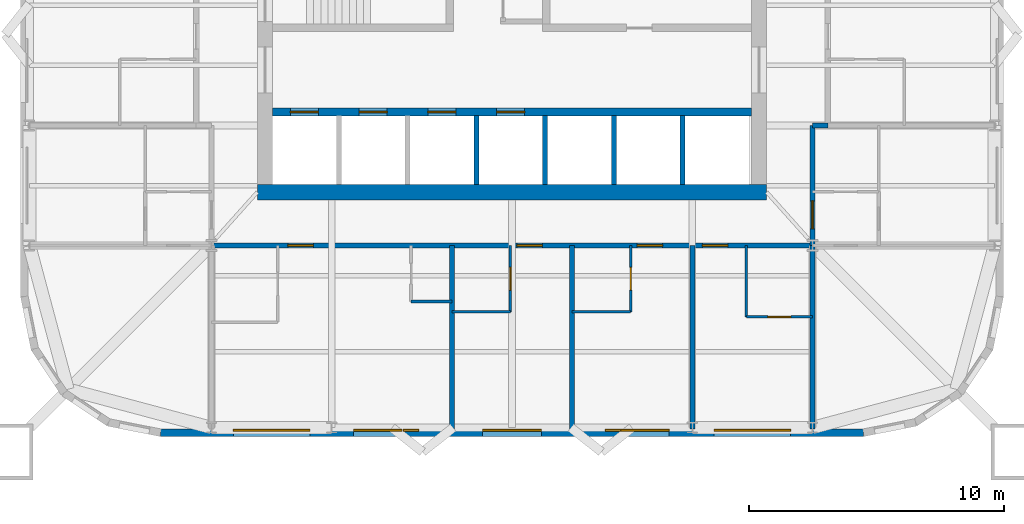
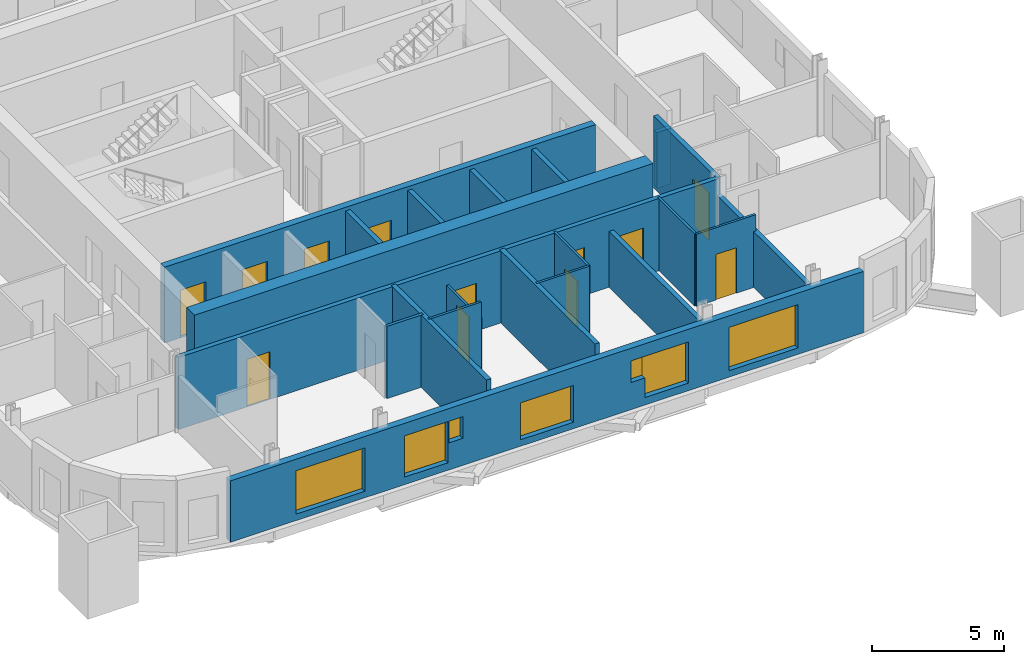
# One storey, part 3 of 9: 21 walls, 12 doors, 7 windows, 19 openings.
"""IFC4 building model written with IfcOpenShell, lengths in metres."""

from ifc_helpers import new_model, si_unit, direction, frame, frame_2d, origin, place, context, subcontext, project, spatial, rectangle, extrude, material, layer, layer_set, type_object, element, fill, save


model = new_model("IFC4")

# Units and contexts
model_context = context("Model", 3, precision=1e-05, world=origin(), true_north=direction((0.0, 1.0)))
body_context = subcontext(model_context, "Body", "Model", "MODEL_VIEW")
ifc_project = project(units=[si_unit("LENGTHUNIT", "METRE"), si_unit("AREAUNIT", "SQUARE_METRE"), si_unit("VOLUMEUNIT", "CUBIC_METRE"), si_unit("PLANEANGLEUNIT", "RADIAN"), si_unit("MASSUNIT", "GRAM", prefix="KILO")], contexts=[model_context])

# Site, building, storey
site_placement = place(None, origin())
site = spatial("IfcSite", under=ifc_project, at=site_placement, CompositionType="ELEMENT")
building_placement = place(site_placement, origin())
building = spatial("IfcBuilding", under=site, at=building_placement, Name="Turquesa Mirador Hotel Tower", CompositionType="ELEMENT")
storey_placement = place(building_placement, frame((0.0, 0.0, 186.300048828125)))
storey = spatial("IfcBuildingStorey", under=building, at=storey_placement, Name="L50", CompositionType="ELEMENT", Elevation=186.300048828125)

# Walls
ifc_material_1 = material(Name="Gypsum board on steel studs", Category="steel")
ifc_layer_1 = layer(ifc_material_1, 0.10009765625)
ifc_layer_set_1 = layer_set([ifc_layer_1], Name="BATHROOM WALL 100")
wall_type_1 = type_object("IfcWallType", Name="BATHROOM WALL 100", PredefinedType="PARTITIONING", material=ifc_layer_set_1)
wall_1_placement = place(storey_placement, frame((52.639892578125, 30.60009765625, 0.0), z_axis=(0.0, 0.0, 1.0), x_axis=(1.0, 0.0, 0.0)))
element("IfcWall", 1, at=wall_1_placement, inside=storey, type_object=wall_type_1, Name="Partition L50 005", PredefinedType="PARTITIONING", context=body_context, shape_type="SweptSolid", body=[
    extrude(rectangle(XDim=2.300048828125, YDim=0.10009765625, at=frame_2d((1.14990234375, 0.0))), origin(), (0.0, 0.0, 1.0), 3.329833984375),
])
wall_2_placement = place(storey_placement, frame((57.360107421875, 30.60009765625, 0.0), z_axis=(0.0, 0.0, 1.0), x_axis=(1.0, 0.0, 0.0)))
element("IfcWall", 2, at=wall_2_placement, inside=storey, type_object=wall_type_1, Name="Partition L50 006", PredefinedType="PARTITIONING", context=body_context, shape_type="SweptSolid", body=[
    extrude(rectangle(XDim=2.2998046875, YDim=0.10009765625, at=frame_2d((1.14990234375, 0.0))), origin(), (0.0, 0.0, 1.0), 3.329833984375),
])

# Wall, opening, door
wall_3_placement = place(storey_placement, frame((64.199951171875, 30.39990234375, 0.0), z_axis=(0.0, 0.0, 1.0), x_axis=(1.0, 0.0, 0.0)))
wall_3 = element("IfcWall", 3, at=wall_3_placement, inside=storey, type_object=wall_type_1, Name="Partition L50 007", PredefinedType="PARTITIONING", context=body_context, shape_type="SweptSolid", body=[
    extrude(rectangle(XDim=2.60009765625, YDim=0.10009765625, at=frame_2d((1.300048828125, 0.0))), origin(), (0.0, 0.0, 1.0), 3.329833984375),
])
opening_1_placement = place(wall_3_placement, frame((0.85009765625, 0.0, 0.0)))
opening_1 = element("IfcOpeningElement", 4, at=opening_1_placement, cuts=wall_3, Name="Opening D02", PredefinedType="OPENING", context=body_context, shape_type="SweptSolid", body=[
    extrude(rectangle(XDim=0.89990234375, YDim=2.10009765625, at=frame_2d((0.449951171875, 1.050048828125))), frame((0.0, 0.06005859375, 0.0), z_axis=(0.0, -1.0, 0.0), x_axis=(1.0, 0.0, 0.0)), (0.0, 0.0, 1.0), 0.1201171875),
])
ifc_material_2 = material(Name="Timber veneered door", Category="wood")
door_type_1 = type_object("IfcDoorType", Name="DOOR 900X2100 EN-SUITE", OperationType="SINGLE_SWING_RIGHT", PredefinedType="DOOR", material=ifc_material_2)
door_1_placement = place(opening_1_placement, origin())
door_1 = element("IfcDoor", 5, at=door_1_placement, inside=storey, type_object=door_type_1, Name="Door 5009B", OperationType="SINGLE_SWING_RIGHT", OverallHeight=2.10009765625, OverallWidth=0.89990234375, PredefinedType="DOOR", context=body_context, shape_type="SweptSolid", body=[
    extrude(rectangle(XDim=0.89990234375, YDim=2.10009765625, at=frame_2d((0.449951171875, 1.050048828125))), frame((0.0, 0.02490234375, 0.0), z_axis=(0.0, -1.0, 0.0), x_axis=(1.0, 0.0, 0.0)), (0.0, 0.0, 1.0), 0.050048828125),
])
fill(opening_1, door_1)

wall_4_placement = place(storey_placement, frame((54.93994140625, 30.60009765625, 0.0), z_axis=(0.0, 0.0, 1.0), x_axis=(0.0, 1.0, 0.0)))
wall_4 = element("IfcWall", 6, at=wall_4_placement, inside=storey, type_object=wall_type_1, Name="Partition L50 041", PredefinedType="PARTITIONING", context=body_context, shape_type="SweptSolid", body=[
    extrude(rectangle(XDim=2.599853515625, YDim=0.10009765625, at=frame_2d((1.2998046875, 0.0))), origin(), (0.0, 0.0, 1.0), 2.572998046875),
])
opening_2_placement = place(wall_4_placement, frame((0.85009765625, 0.0, 0.0)))
opening_2 = element("IfcOpeningElement", 7, at=opening_2_placement, cuts=wall_4, Name="Opening D02", PredefinedType="OPENING", context=body_context, shape_type="SweptSolid", body=[
    extrude(rectangle(XDim=0.89990234375, YDim=2.10009765625, at=frame_2d((0.449951171875, 1.050048828125))), frame((0.0, 0.06005859375, 0.0), z_axis=(0.0, -1.0, 0.0), x_axis=(1.0, 0.0, 0.0)), (0.0, 0.0, 1.0), 0.1201171875),
])
door_2_placement = place(opening_2_placement, origin())
door_2 = element("IfcDoor", 8, at=door_2_placement, inside=storey, type_object=door_type_1, Name="Door 5007B", OperationType="SINGLE_SWING_RIGHT", OverallHeight=2.10009765625, OverallWidth=0.89990234375, PredefinedType="DOOR", context=body_context, shape_type="SweptSolid", body=[
    extrude(rectangle(XDim=0.89990234375, YDim=2.10009765625, at=frame_2d((0.449951171875, 1.050048828125))), frame((0.0, 0.02490234375, 0.0), z_axis=(0.0, -1.0, 0.0), x_axis=(1.0, 0.0, 0.0)), (0.0, 0.0, 1.0), 0.050048828125),
])
fill(opening_2, door_2)

wall_5_placement = place(storey_placement, frame((59.659912109375, 30.60009765625, 0.0), z_axis=(0.0, 0.0, 1.0), x_axis=(0.0, 1.0, 0.0)))
wall_5 = element("IfcWall", 9, at=wall_5_placement, inside=storey, type_object=wall_type_1, Name="Partition L50 078", PredefinedType="PARTITIONING", context=body_context, shape_type="SweptSolid", body=[
    extrude(rectangle(XDim=2.599853515625, YDim=0.10009765625, at=frame_2d((1.2998046875, 0.0))), origin(), (0.0, 0.0, 1.0), 3.329833984375),
])
opening_3_placement = place(wall_5_placement, frame((0.85009765625, 0.0, 0.0)))
opening_3 = element("IfcOpeningElement", 10, at=opening_3_placement, cuts=wall_5, Name="Opening D02", PredefinedType="OPENING", context=body_context, shape_type="SweptSolid", body=[
    extrude(rectangle(XDim=0.89990234375, YDim=2.10009765625, at=frame_2d((0.449951171875, 1.050048828125))), frame((0.0, 0.06005859375, 0.0), z_axis=(0.0, -1.0, 0.0), x_axis=(1.0, 0.0, 0.0)), (0.0, 0.0, 1.0), 0.1201171875),
])
door_3_placement = place(opening_3_placement, origin())
door_3 = element("IfcDoor", 11, at=door_3_placement, inside=storey, type_object=door_type_1, Name="Door 5008B", OperationType="SINGLE_SWING_RIGHT", OverallHeight=2.10009765625, OverallWidth=0.89990234375, PredefinedType="DOOR", context=body_context, shape_type="SweptSolid", body=[
    extrude(rectangle(XDim=0.89990234375, YDim=2.10009765625, at=frame_2d((0.449951171875, 1.050048828125))), frame((0.0, 0.02490234375, 0.0), z_axis=(0.0, -1.0, 0.0), x_axis=(1.0, 0.0, 0.0)), (0.0, 0.0, 1.0), 0.050048828125),
])
fill(opening_3, door_3)

# Wall
wall_6_placement = place(storey_placement, frame((64.199951171875, 30.39990234375, 0.0), z_axis=(0.0, 0.0, 1.0), x_axis=(0.0, 1.0, 0.0)))
element("IfcWall", 12, at=wall_6_placement, inside=storey, type_object=wall_type_1, Name="Partition L50 083", PredefinedType="PARTITIONING", context=body_context, shape_type="SweptSolid", body=[
    extrude(rectangle(XDim=2.800048828125, YDim=0.10009765625, at=frame_2d((1.39990234375, 0.0))), origin(), (0.0, 0.0, 1.0), 3.329833984375),
])

# Wall, openings, doors
ifc_material_3 = material(Name="Concrete C50/60", Category="concrete")
ifc_layer_2 = layer(ifc_material_3, 0.300048828125)
ifc_layer_set_2 = layer_set([ifc_layer_2], Name="CORE INNER WALL 300")
wall_type_2 = type_object("IfcWallType", Name="CORE INNER WALL 300", PredefinedType="SHEAR", material=ifc_layer_set_2)
wall_7_placement = place(storey_placement, frame((45.60009765625, 38.449951171875, 0.0), z_axis=(0.0, 0.0, 1.0), x_axis=(1.0, 0.0, 0.0)))
wall_7 = element("IfcWall", 13, at=wall_7_placement, inside=storey, type_object=wall_type_2, Name="Core wall SL", PredefinedType="SHEAR", context=body_context, shape_type="SweptSolid", body=[
    extrude(rectangle(XDim=18.7998046875, YDim=0.300048828125, at=frame_2d((9.39990234375, 0.0))), origin(), (0.0, 0.0, 1.0), 3.5),
])
opening_4_placement = place(wall_7_placement, frame((0.699951171875, 0.0, 0.0)))
opening_4 = element("IfcOpeningElement", 14, at=opening_4_placement, cuts=wall_7, Name="Opening LD", PredefinedType="OPENING", context=body_context, shape_type="SweptSolid", body=[
    extrude(rectangle(XDim=1.10009765625, YDim=2.199951171875, at=frame_2d((0.550048828125, 1.10009765625))), frame((0.0, 0.159912109375, 0.0), z_axis=(0.0, -1.0, 0.0), x_axis=(1.0, 0.0, 0.0)), (0.0, 0.0, 1.0), 0.320068359375),
])
opening_5_placement = place(wall_7_placement, frame((3.39990234375, 0.0, 0.0)))
opening_5 = element("IfcOpeningElement", 15, at=opening_5_placement, cuts=wall_7, Name="Opening LD", PredefinedType="OPENING", context=body_context, shape_type="SweptSolid", body=[
    extrude(rectangle(XDim=1.10009765625, YDim=2.199951171875, at=frame_2d((0.550048828125, 1.10009765625))), frame((0.0, 0.159912109375, 0.0), z_axis=(0.0, -1.0, 0.0), x_axis=(1.0, 0.0, 0.0)), (0.0, 0.0, 1.0), 0.320068359375),
])
opening_6_placement = place(wall_7_placement, frame((6.10009765625, 0.0, 0.0)))
opening_6 = element("IfcOpeningElement", 16, at=opening_6_placement, cuts=wall_7, Name="Opening LD", PredefinedType="OPENING", context=body_context, shape_type="SweptSolid", body=[
    extrude(rectangle(XDim=1.10009765625, YDim=2.199951171875, at=frame_2d((0.550048828125, 1.10009765625))), frame((0.0, 0.159912109375, 0.0), z_axis=(0.0, -1.0, 0.0), x_axis=(1.0, 0.0, 0.0)), (0.0, 0.0, 1.0), 0.320068359375),
])
opening_7_placement = place(wall_7_placement, frame((8.800048828125, 0.0, 0.0)))
opening_7 = element("IfcOpeningElement", 17, at=opening_7_placement, cuts=wall_7, Name="Opening LD", PredefinedType="OPENING", context=body_context, shape_type="SweptSolid", body=[
    extrude(rectangle(XDim=1.10009765625, YDim=2.199951171875, at=frame_2d((0.550048828125, 1.10009765625))), frame((0.0, 0.159912109375, 0.0), z_axis=(0.0, -1.0, 0.0), x_axis=(1.0, 0.0, 0.0)), (0.0, 0.0, 1.0), 0.320068359375),
])
ifc_material_4 = material(Name="Stainless steel lift landing door", Category="steel")
door_type_2 = type_object("IfcDoorType", Name="LIFT LANDING DOOR 1100X2200", OperationType="SLIDING_TO_LEFT", PredefinedType="DOOR", material=ifc_material_4)
door_4_placement = place(opening_4_placement, origin())
door_4 = element("IfcDoor", 18, at=door_4_placement, inside=storey, type_object=door_type_2, Name="Lift B1 landing door", OperationType="SLIDING_TO_LEFT", OverallHeight=2.199951171875, OverallWidth=1.10009765625, PredefinedType="DOOR", context=body_context, shape_type="SweptSolid", body=[
    extrude(rectangle(XDim=1.10009765625, YDim=2.199951171875, at=frame_2d((0.550048828125, 1.10009765625))), frame((0.0, 0.02490234375, 0.0), z_axis=(0.0, -1.0, 0.0), x_axis=(1.0, 0.0, 0.0)), (0.0, 0.0, 1.0), 0.050048828125),
])
fill(opening_4, door_4)
door_5_placement = place(opening_5_placement, origin())
door_5 = element("IfcDoor", 19, at=door_5_placement, inside=storey, type_object=door_type_2, Name="Lift B2 landing door", OperationType="SLIDING_TO_LEFT", OverallHeight=2.199951171875, OverallWidth=1.10009765625, PredefinedType="DOOR", context=body_context, shape_type="SweptSolid", body=[
    extrude(rectangle(XDim=1.10009765625, YDim=2.199951171875, at=frame_2d((0.550048828125, 1.10009765625))), frame((0.0, 0.02490234375, 0.0), z_axis=(0.0, -1.0, 0.0), x_axis=(1.0, 0.0, 0.0)), (0.0, 0.0, 1.0), 0.050048828125),
])
fill(opening_5, door_5)
door_6_placement = place(opening_6_placement, origin())
door_6 = element("IfcDoor", 20, at=door_6_placement, inside=storey, type_object=door_type_2, Name="Lift B3 landing door", OperationType="SLIDING_TO_LEFT", OverallHeight=2.199951171875, OverallWidth=1.10009765625, PredefinedType="DOOR", context=body_context, shape_type="SweptSolid", body=[
    extrude(rectangle(XDim=1.10009765625, YDim=2.199951171875, at=frame_2d((0.550048828125, 1.10009765625))), frame((0.0, 0.02490234375, 0.0), z_axis=(0.0, -1.0, 0.0), x_axis=(1.0, 0.0, 0.0)), (0.0, 0.0, 1.0), 0.050048828125),
])
fill(opening_6, door_6)
door_7_placement = place(opening_7_placement, origin())
door_7 = element("IfcDoor", 21, at=door_7_placement, inside=storey, type_object=door_type_2, Name="Lift B4 landing door", OperationType="SLIDING_TO_LEFT", OverallHeight=2.199951171875, OverallWidth=1.10009765625, PredefinedType="DOOR", context=body_context, shape_type="SweptSolid", body=[
    extrude(rectangle(XDim=1.10009765625, YDim=2.199951171875, at=frame_2d((0.550048828125, 1.10009765625))), frame((0.0, 0.02490234375, 0.0), z_axis=(0.0, -1.0, 0.0), x_axis=(1.0, 0.0, 0.0)), (0.0, 0.0, 1.0), 0.050048828125),
])
fill(opening_7, door_7)

# Wall
ifc_material_5 = material(Name="Concrete C50/60", Category="concrete")
ifc_layer_3 = layer(ifc_material_5, 0.60009765625)
ifc_layer_set_3 = layer_set([ifc_layer_3], Name="CORE WALL 600")
wall_type_3 = type_object("IfcWallType", Name="CORE WALL 600", PredefinedType="SHEAR", material=ifc_layer_set_3)
wall_8_placement = place(storey_placement, frame((45.0, 35.300048828125, 0.0), z_axis=(0.0, 0.0, 1.0), x_axis=(1.0, 0.0, 0.0)))
element("IfcWall", 22, at=wall_8_placement, inside=storey, type_object=wall_type_3, Name="Core wall S", PredefinedType="SHEAR", context=body_context, shape_type="SweptSolid", body=[
    extrude(rectangle(XDim=20.0, YDim=0.60009765625, at=frame_2d((10.0, 0.0))), origin(), (0.0, 0.0, 1.0), 3.5),
])

# Wall, openings, doors
ifc_material_6 = material(Name="Fire-rated gypsum board on steel studs", Category="steel")
ifc_layer_4 = layer(ifc_material_6, 0.199951171875)
ifc_layer_set_4 = layer_set([ifc_layer_4], Name="CORRIDOR WALL 200")
wall_type_4 = type_object("IfcWallType", Name="CORRIDOR WALL 200", PredefinedType="PARTITIONING", material=ifc_layer_set_4)
wall_9_placement = place(storey_placement, frame((43.199951171875, 33.199951171875, 0.0), z_axis=(0.0, 0.0, 1.0), x_axis=(1.0, 0.0, 0.0)))
wall_9 = element("IfcWall", 23, at=wall_9_placement, inside=storey, type_object=wall_type_4, Name="Partition L50 001", PredefinedType="PARTITIONING", context=body_context, shape_type="SweptSolid", body=[
    extrude(rectangle(XDim=23.60009765625, YDim=0.199951171875, at=frame_2d((11.800048828125, 0.0))), origin(), (0.0, 0.0, 1.0), 3.329833984375),
])
opening_8_placement = place(wall_9_placement, frame((3.0, 0.0, 0.0)))
opening_8 = element("IfcOpeningElement", 24, at=opening_8_placement, cuts=wall_9, Name="Opening D01", PredefinedType="OPENING", context=body_context, shape_type="SweptSolid", body=[
    extrude(rectangle(XDim=1.0, YDim=2.199951171875, at=frame_2d((0.5, 1.10009765625))), frame((0.0, 0.10986328125, 0.0), z_axis=(0.0, -1.0, 0.0), x_axis=(1.0, 0.0, 0.0)), (0.0, 0.0, 1.0), 0.219970703125),
])
opening_9_placement = place(wall_9_placement, frame((11.989990234375, 0.0, 0.0)))
opening_9 = element("IfcOpeningElement", 25, at=opening_9_placement, cuts=wall_9, Name="Opening D01", PredefinedType="OPENING", context=body_context, shape_type="SweptSolid", body=[
    extrude(rectangle(XDim=1.0, YDim=2.199951171875, at=frame_2d((0.5, 1.10009765625))), frame((0.0, 0.10986328125, 0.0), z_axis=(0.0, -1.0, 0.0), x_axis=(1.0, 0.0, 0.0)), (0.0, 0.0, 1.0), 0.219970703125),
])
opening_10_placement = place(wall_9_placement, frame((16.7099609375, 0.0, 0.0)))
opening_10 = element("IfcOpeningElement", 26, at=opening_10_placement, cuts=wall_9, Name="Opening D01", PredefinedType="OPENING", context=body_context, shape_type="SweptSolid", body=[
    extrude(rectangle(XDim=1.0, YDim=2.199951171875, at=frame_2d((0.5, 1.10009765625))), frame((0.0, 0.10986328125, 0.0), z_axis=(0.0, -1.0, 0.0), x_axis=(1.0, 0.0, 0.0)), (0.0, 0.0, 1.0), 0.219970703125),
])
opening_11_placement = place(wall_9_placement, frame((19.280029296875, 0.0, 0.0)))
opening_11 = element("IfcOpeningElement", 27, at=opening_11_placement, cuts=wall_9, Name="Opening D01", PredefinedType="OPENING", context=body_context, shape_type="SweptSolid", body=[
    extrude(rectangle(XDim=1.0, YDim=2.199951171875, at=frame_2d((0.5, 1.10009765625))), frame((0.0, 0.10986328125, 0.0), z_axis=(0.0, -1.0, 0.0), x_axis=(1.0, 0.0, 0.0)), (0.0, 0.0, 1.0), 0.219970703125),
])
ifc_material_7 = material(Name="Timber veneered fire door", Category="wood")
door_type_3 = type_object("IfcDoorType", Name="DOOR 1000X2200 GUEST ENTRY", OperationType="SINGLE_SWING_LEFT", PredefinedType="DOOR", material=ifc_material_7)
door_8_placement = place(opening_8_placement, origin())
door_8 = element("IfcDoor", 28, at=door_8_placement, inside=storey, type_object=door_type_3, Name="Door 5006", OperationType="SINGLE_SWING_LEFT", OverallHeight=2.199951171875, OverallWidth=1.0, PredefinedType="DOOR", context=body_context, shape_type="SweptSolid", body=[
    extrude(rectangle(XDim=1.0, YDim=2.199951171875, at=frame_2d((0.5, 1.10009765625))), frame((0.0, 0.02490234375, 0.0), z_axis=(0.0, -1.0, 0.0), x_axis=(1.0, 0.0, 0.0)), (0.0, 0.0, 1.0), 0.050048828125),
])
fill(opening_8, door_8)
door_9_placement = place(opening_9_placement, origin())
door_9 = element("IfcDoor", 29, at=door_9_placement, inside=storey, type_object=door_type_3, Name="Door 5007", OperationType="SINGLE_SWING_LEFT", OverallHeight=2.199951171875, OverallWidth=1.0, PredefinedType="DOOR", context=body_context, shape_type="SweptSolid", body=[
    extrude(rectangle(XDim=1.0, YDim=2.199951171875, at=frame_2d((0.5, 1.10009765625))), frame((0.0, 0.02490234375, 0.0), z_axis=(0.0, -1.0, 0.0), x_axis=(1.0, 0.0, 0.0)), (0.0, 0.0, 1.0), 0.050048828125),
])
fill(opening_9, door_9)
door_10_placement = place(opening_10_placement, origin())
door_10 = element("IfcDoor", 30, at=door_10_placement, inside=storey, type_object=door_type_3, Name="Door 5008", OperationType="SINGLE_SWING_LEFT", OverallHeight=2.199951171875, OverallWidth=1.0, PredefinedType="DOOR", context=body_context, shape_type="SweptSolid", body=[
    extrude(rectangle(XDim=1.0, YDim=2.199951171875, at=frame_2d((0.5, 1.10009765625))), frame((0.0, 0.02490234375, 0.0), z_axis=(0.0, -1.0, 0.0), x_axis=(1.0, 0.0, 0.0)), (0.0, 0.0, 1.0), 0.050048828125),
])
fill(opening_10, door_10)
door_11_placement = place(opening_11_placement, origin())
door_11 = element("IfcDoor", 31, at=door_11_placement, inside=storey, type_object=door_type_3, Name="Door 5009", OperationType="SINGLE_SWING_LEFT", OverallHeight=2.199951171875, OverallWidth=1.0, PredefinedType="DOOR", context=body_context, shape_type="SweptSolid", body=[
    extrude(rectangle(XDim=1.0, YDim=2.199951171875, at=frame_2d((0.5, 1.10009765625))), frame((0.0, 0.02490234375, 0.0), z_axis=(0.0, -1.0, 0.0), x_axis=(1.0, 0.0, 0.0)), (0.0, 0.0, 1.0), 0.050048828125),
])
fill(opening_11, door_11)

# Wall
wall_10_placement = place(storey_placement, frame((66.800048828125, 37.919921875, 0.0), z_axis=(0.0, 0.0, 1.0), x_axis=(1.0, 0.0, 0.0)))
element("IfcWall", 32, at=wall_10_placement, inside=storey, type_object=wall_type_4, Name="Partition L50 012", PredefinedType="PARTITIONING", context=body_context, shape_type="SweptSolid", body=[
    extrude(rectangle(XDim=0.599853515625, YDim=0.199951171875, at=frame_2d((0.2998046875, 0.0))), origin(), (0.0, 0.0, 1.0), 2.572998046875),
])

# Wall, opening, door
wall_11_placement = place(storey_placement, frame((66.800048828125, 33.199951171875, 0.0), z_axis=(0.0, 0.0, 1.0), x_axis=(0.0, 1.0, 0.0)))
wall_11 = element("IfcWall", 33, at=wall_11_placement, inside=storey, type_object=wall_type_4, Name="Partition L50 063", PredefinedType="PARTITIONING", context=body_context, shape_type="SweptSolid", body=[
    extrude(rectangle(XDim=4.719970703125, YDim=0.199951171875, at=frame_2d((2.35986328125, 0.0))), origin(), (0.0, 0.0, 1.0), 3.329833984375),
])
opening_12_placement = place(wall_11_placement, frame((0.659912109375, 0.0, 0.0)))
opening_12 = element("IfcOpeningElement", 34, at=opening_12_placement, cuts=wall_11, Name="Opening D15", PredefinedType="OPENING", context=body_context, shape_type="SweptSolid", body=[
    extrude(rectangle(XDim=1.10009765625, YDim=2.199951171875, at=frame_2d((0.550048828125, 1.10009765625))), frame((0.0, 0.10986328125, 0.0), z_axis=(0.0, -1.0, 0.0), x_axis=(1.0, 0.0, 0.0)), (0.0, 0.0, 1.0), 0.219970703125),
])
ifc_material_8 = material(Name="Timber veneered fire door", Category="wood")
door_type_4 = type_object("IfcDoorType", Name="DOOR 1100X2200 SUITE ENTRY", OperationType="SINGLE_SWING_LEFT", PredefinedType="DOOR", material=ifc_material_8)
door_12_placement = place(opening_12_placement, origin())
door_12 = element("IfcDoor", 35, at=door_12_placement, inside=storey, type_object=door_type_4, Name="Door 5017H", OperationType="SINGLE_SWING_LEFT", OverallHeight=2.199951171875, OverallWidth=1.10009765625, PredefinedType="DOOR", context=body_context, shape_type="SweptSolid", body=[
    extrude(rectangle(XDim=1.10009765625, YDim=2.199951171875, at=frame_2d((0.550048828125, 1.10009765625))), frame((0.0, 0.02490234375, 0.0), z_axis=(0.0, -1.0, 0.0), x_axis=(1.0, 0.0, 0.0)), (0.0, 0.0, 1.0), 0.050048828125),
])
fill(opening_12, door_12)

# Wall, openings, windows
ifc_material_9 = material(Name="Limestone cladding on concrete block", Category="masonry")
ifc_layer_5 = layer(ifc_material_9, 0.300048828125)
ifc_layer_set_5 = layer_set([ifc_layer_5], Name="FACADE WALL 300 STONE SCREEN")
wall_type_5 = type_object("IfcWallType", Name="FACADE WALL 300 STONE SCREEN", PredefinedType="SOLIDWALL", material=ifc_layer_set_5)
wall_12_placement = place(storey_placement, frame((41.199951171875, 25.85009765625, 0.0), z_axis=(0.0, 0.0, 1.0), x_axis=(1.0, 0.0, 0.0)))
wall_12 = element("IfcWall", 36, at=wall_12_placement, inside=storey, type_object=wall_type_5, Name="Facade wall L50 19", PredefinedType="SOLIDWALL", context=body_context, shape_type="SweptSolid", body=[
    extrude(rectangle(XDim=27.60009765625, YDim=0.300048828125, at=frame_2d((13.800048828125, 0.0))), origin(), (0.0, 0.0, 1.0), 2.829833984375),
])
opening_13_placement = place(wall_12_placement, frame((2.860107421875, 0.0, 0.300048828125)))
opening_13 = element("IfcOpeningElement", 37, at=opening_13_placement, cuts=wall_12, Name="Opening WN1", PredefinedType="OPENING", context=body_context, shape_type="SweptSolid", body=[
    extrude(rectangle(XDim=3.0, YDim=2.0, at=frame_2d((1.5, 1.0))), frame((0.0, 0.159912109375, 0.0), z_axis=(0.0, -1.0, 0.0), x_axis=(1.0, 0.0, 0.0)), (0.0, 0.0, 1.0), 0.320068359375),
])
opening_14_placement = place(wall_12_placement, frame((7.580078125, 0.0, 0.35009765625)))
opening_14 = element("IfcOpeningElement", 38, at=opening_14_placement, cuts=wall_12, Name="Opening WN48", PredefinedType="OPENING", context=body_context, shape_type="SweptSolid", body=[
    extrude(rectangle(XDim=1.89990234375, YDim=1.89990234375, at=frame_2d((0.949951171875, 0.949951171875))), frame((0.0, 0.159912109375, 0.0), z_axis=(0.0, -1.0, 0.0), x_axis=(1.0, 0.0, 0.0)), (0.0, 0.0, 1.0), 0.320068359375),
])
opening_15_placement = place(wall_12_placement, frame((12.64990234375, 0.0, 0.300048828125)))
opening_15 = element("IfcOpeningElement", 39, at=opening_15_placement, cuts=wall_12, Name="Opening WN51", PredefinedType="OPENING", context=body_context, shape_type="SweptSolid", body=[
    extrude(rectangle(XDim=2.300048828125, YDim=1.699951171875, at=frame_2d((1.14990234375, 0.85009765625))), frame((0.0, 0.159912109375, 0.0), z_axis=(0.0, -1.0, 0.0), x_axis=(1.0, 0.0, 0.0)), (0.0, 0.0, 1.0), 0.320068359375),
])
opening_16_placement = place(wall_12_placement, frame((18.070068359375, 0.0, 0.35009765625)))
opening_16 = element("IfcOpeningElement", 40, at=opening_16_placement, cuts=wall_12, Name="Opening WN48", PredefinedType="OPENING", context=body_context, shape_type="SweptSolid", body=[
    extrude(rectangle(XDim=1.89990234375, YDim=1.89990234375, at=frame_2d((0.949951171875, 0.949951171875))), frame((0.0, 0.159912109375, 0.0), z_axis=(0.0, -1.0, 0.0), x_axis=(1.0, 0.0, 0.0)), (0.0, 0.0, 1.0), 0.320068359375),
])
opening_17_placement = place(wall_12_placement, frame((21.739990234375, 0.0, 0.300048828125)))
opening_17 = element("IfcOpeningElement", 41, at=opening_17_placement, cuts=wall_12, Name="Opening WN1", PredefinedType="OPENING", context=body_context, shape_type="SweptSolid", body=[
    extrude(rectangle(XDim=3.0, YDim=2.0, at=frame_2d((1.5, 1.0))), frame((0.0, 0.159912109375, 0.0), z_axis=(0.0, -1.0, 0.0), x_axis=(1.0, 0.0, 0.0)), (0.0, 0.0, 1.0), 0.320068359375),
])
opening_18_placement = place(wall_12_placement, frame((9.530029296875, 0.0, 1.25)))
opening_18 = element("IfcOpeningElement", 42, at=opening_18_placement, cuts=wall_12, Name="Opening WN29", PredefinedType="OPENING", context=body_context, shape_type="SweptSolid", body=[
    extrude(rectangle(XDim=0.60009765625, YDim=1.0, at=frame_2d((0.300048828125, 0.5))), frame((0.0, 0.159912109375, 0.0), z_axis=(0.0, -1.0, 0.0), x_axis=(1.0, 0.0, 0.0)), (0.0, 0.0, 1.0), 0.320068359375),
])
opening_19_placement = place(wall_12_placement, frame((17.469970703125, 0.0, 1.25)))
opening_19 = element("IfcOpeningElement", 43, at=opening_19_placement, cuts=wall_12, Name="Opening WN29", PredefinedType="OPENING", context=body_context, shape_type="SweptSolid", body=[
    extrude(rectangle(XDim=0.60009765625, YDim=1.0, at=frame_2d((0.300048828125, 0.5))), frame((0.0, 0.159912109375, 0.0), z_axis=(0.0, -1.0, 0.0), x_axis=(1.0, 0.0, 0.0)), (0.0, 0.0, 1.0), 0.320068359375),
])
ifc_material_10 = material(Name="Ceramic-fritted laminated glass", Category="glass")
window_type_1 = type_object("IfcWindowType", Name="FRITTED WINDOW 1900X1900", PartitioningType="DOUBLE_PANEL_HORIZONTAL", PredefinedType="WINDOW", material=ifc_material_10)
window_1_placement = place(opening_14_placement, origin())
window_1 = element("IfcWindow", 44, at=window_1_placement, inside=storey, type_object=window_type_1, Name="Window L50", OverallHeight=1.89990234375, OverallWidth=1.89990234375, PartitioningType="SINGLE_PANEL", PredefinedType="WINDOW", context=body_context, shape_type="SweptSolid", body=[
    extrude(rectangle(XDim=1.89990234375, YDim=1.89990234375, at=frame_2d((0.949951171875, 0.949951171875))), frame((0.0, 0.130126953125, 0.0), z_axis=(0.0, -1.0, 0.0), x_axis=(1.0, 0.0, 0.0)), (0.0, 0.0, 1.0), 0.06005859375),
])
fill(opening_14, window_1)
window_2_placement = place(opening_16_placement, origin())
window_2 = element("IfcWindow", 45, at=window_2_placement, inside=storey, type_object=window_type_1, Name="Window L50", OverallHeight=1.89990234375, OverallWidth=1.89990234375, PartitioningType="SINGLE_PANEL", PredefinedType="WINDOW", context=body_context, shape_type="SweptSolid", body=[
    extrude(rectangle(XDim=1.89990234375, YDim=1.89990234375, at=frame_2d((0.949951171875, 0.949951171875))), frame((0.0, 0.130126953125, 0.0), z_axis=(0.0, -1.0, 0.0), x_axis=(1.0, 0.0, 0.0)), (0.0, 0.0, 1.0), 0.06005859375),
])
fill(opening_16, window_2)
ifc_material_11 = material(Name="Ceramic-fritted laminated glass", Category="glass")
window_type_2 = type_object("IfcWindowType", Name="FRITTED WINDOW 2300X1700", PartitioningType="DOUBLE_PANEL_HORIZONTAL", PredefinedType="WINDOW", material=ifc_material_11)
window_3_placement = place(opening_15_placement, origin())
window_3 = element("IfcWindow", 46, at=window_3_placement, inside=storey, type_object=window_type_2, Name="Window L50", OverallHeight=1.699951171875, OverallWidth=2.300048828125, PartitioningType="SINGLE_PANEL", PredefinedType="WINDOW", context=body_context, shape_type="SweptSolid", body=[
    extrude(rectangle(XDim=2.300048828125, YDim=1.699951171875, at=frame_2d((1.14990234375, 0.85009765625))), frame((0.0, 0.130126953125, 0.0), z_axis=(0.0, -1.0, 0.0), x_axis=(1.0, 0.0, 0.0)), (0.0, 0.0, 1.0), 0.06005859375),
])
fill(opening_15, window_3)
ifc_material_12 = material(Name="Ceramic-fritted laminated glass", Category="glass")
window_type_3 = type_object("IfcWindowType", Name="FRITTED WINDOW 3000X2000", PartitioningType="DOUBLE_PANEL_HORIZONTAL", PredefinedType="WINDOW", material=ifc_material_12)
window_4_placement = place(opening_13_placement, origin())
window_4 = element("IfcWindow", 47, at=window_4_placement, inside=storey, type_object=window_type_3, Name="Window L50", OverallHeight=2.0, OverallWidth=3.0, PartitioningType="SINGLE_PANEL", PredefinedType="WINDOW", context=body_context, shape_type="SweptSolid", body=[
    extrude(rectangle(XDim=3.0, YDim=2.0, at=frame_2d((1.5, 1.0))), frame((0.0, 0.130126953125, 0.0), z_axis=(0.0, -1.0, 0.0), x_axis=(1.0, 0.0, 0.0)), (0.0, 0.0, 1.0), 0.06005859375),
])
fill(opening_13, window_4)
window_5_placement = place(opening_17_placement, origin())
window_5 = element("IfcWindow", 48, at=window_5_placement, inside=storey, type_object=window_type_3, Name="Window L50", OverallHeight=2.0, OverallWidth=3.0, PartitioningType="SINGLE_PANEL", PredefinedType="WINDOW", context=body_context, shape_type="SweptSolid", body=[
    extrude(rectangle(XDim=3.0, YDim=2.0, at=frame_2d((1.5, 1.0))), frame((0.0, 0.130126953125, 0.0), z_axis=(0.0, -1.0, 0.0), x_axis=(1.0, 0.0, 0.0)), (0.0, 0.0, 1.0), 0.06005859375),
])
fill(opening_17, window_5)
ifc_material_13 = material(Name="Ceramic-fritted laminated glass", Category="glass")
window_type_4 = type_object("IfcWindowType", Name="FRITTED WINDOW 600X1000", PartitioningType="DOUBLE_PANEL_HORIZONTAL", PredefinedType="WINDOW", material=ifc_material_13)
window_6_placement = place(opening_18_placement, origin())
window_6 = element("IfcWindow", 49, at=window_6_placement, inside=storey, type_object=window_type_4, Name="Window L50", OverallHeight=1.0, OverallWidth=0.60009765625, PartitioningType="SINGLE_PANEL", PredefinedType="WINDOW", context=body_context, shape_type="SweptSolid", body=[
    extrude(rectangle(XDim=0.60009765625, YDim=1.0, at=frame_2d((0.300048828125, 0.5))), frame((0.0, 0.130126953125, 0.0), z_axis=(0.0, -1.0, 0.0), x_axis=(1.0, 0.0, 0.0)), (0.0, 0.0, 1.0), 0.06005859375),
])
fill(opening_18, window_6)
window_7_placement = place(opening_19_placement, origin())
window_7 = element("IfcWindow", 50, at=window_7_placement, inside=storey, type_object=window_type_4, Name="Window L50", OverallHeight=1.0, OverallWidth=0.60009765625, PartitioningType="SINGLE_PANEL", PredefinedType="WINDOW", context=body_context, shape_type="SweptSolid", body=[
    extrude(rectangle(XDim=0.60009765625, YDim=1.0, at=frame_2d((0.300048828125, 0.5))), frame((0.0, 0.130126953125, 0.0), z_axis=(0.0, -1.0, 0.0), x_axis=(1.0, 0.0, 0.0)), (0.0, 0.0, 1.0), 0.06005859375),
])
fill(opening_19, window_7)

# Walls
ifc_material_14 = material(Name="Fire-rated gypsum shaft wall on steel studs", Category="steel")
ifc_layer_6 = layer(ifc_material_14, 0.199951171875)
ifc_layer_set_6 = layer_set([ifc_layer_6], Name="LIFT SHAFT DIVIDER 200")
wall_type_6 = type_object("IfcWallType", Name="LIFT SHAFT DIVIDER 200", PredefinedType="PARTITIONING", material=ifc_layer_set_6)
for number, where, z_axis, x_axis, name in (
    (51, (53.60009765625, 35.60009765625, 0.0), (0.0, 0.0, 1.0), (0.0, 1.0, 0.0), "Lift shaft divider"),
    (52, (56.300048828125, 35.60009765625, 0.0), (0.0, 0.0, 1.0), (0.0, 1.0, 0.0), "Lift shaft divider"),
    (53, (59.0, 35.60009765625, 0.0), (0.0, 0.0, 1.0), (0.0, 1.0, 0.0), "Lift shaft divider"),
    (54, (61.699951171875, 35.60009765625, 0.0), (0.0, 0.0, 1.0), (0.0, 1.0, 0.0), "Lift shaft divider"),
):
    element("IfcWall", number, at=place(storey_placement, frame(where, z_axis=z_axis, x_axis=x_axis)), inside=storey, type_object=wall_type_6, Name=name, PredefinedType="PARTITIONING", context=body_context, shape_type="SweptSolid", body=[
        extrude(rectangle(XDim=2.699951171875, YDim=0.199951171875, at=frame_2d((1.35009765625, 0.0))), origin(), (0.0, 0.0, 1.0), 3.329833984375),
    ])
ifc_material_15 = material(Name="Fire-rated gypsum board on steel studs", Category="steel")
ifc_layer_7 = layer(ifc_material_15, 0.199951171875)
ifc_layer_set_7 = layer_set([ifc_layer_7], Name="PARTY WALL 200")
wall_type_7 = type_object("IfcWallType", Name="PARTY WALL 200", PredefinedType="PARTITIONING", material=ifc_layer_set_7)
wall_13_placement = place(storey_placement, frame((52.639892578125, 26.0, 0.0), z_axis=(0.0, 0.0, 1.0), x_axis=(0.0, 1.0, 0.0)))
element("IfcWall", 55, at=wall_13_placement, inside=storey, type_object=wall_type_7, Name="Partition L50 056", PredefinedType="PARTITIONING", context=body_context, shape_type="SweptSolid", body=[
    extrude(rectangle(XDim=7.199951171875, YDim=0.199951171875, at=frame_2d((3.60009765625, 0.0))), origin(), (0.0, 0.0, 1.0), 3.329833984375),
])
wall_14_placement = place(storey_placement, frame((66.800048828125, 26.0, 0.0), z_axis=(0.0, 0.0, 1.0), x_axis=(0.0, 1.0, 0.0)))
element("IfcWall", 56, at=wall_14_placement, inside=storey, type_object=wall_type_7, Name="Partition L50 065", PredefinedType="PARTITIONING", context=body_context, shape_type="SweptSolid", body=[
    extrude(rectangle(XDim=7.199951171875, YDim=0.199951171875, at=frame_2d((3.60009765625, 0.0))), origin(), (0.0, 0.0, 1.0), 2.572998046875),
])
wall_15_placement = place(storey_placement, frame((57.360107421875, 26.0, 0.0), z_axis=(0.0, 0.0, 1.0), x_axis=(0.0, 1.0, 0.0)))
element("IfcWall", 57, at=wall_15_placement, inside=storey, type_object=wall_type_7, Name="Partition L50 075", PredefinedType="PARTITIONING", context=body_context, shape_type="SweptSolid", body=[
    extrude(rectangle(XDim=7.199951171875, YDim=0.199951171875, at=frame_2d((3.60009765625, 0.0))), origin(), (0.0, 0.0, 1.0), 3.329833984375),
])
wall_16_placement = place(storey_placement, frame((62.080078125, 26.0, 0.0), z_axis=(0.0, 0.0, 1.0), x_axis=(0.0, 1.0, 0.0)))
element("IfcWall", 58, at=wall_16_placement, inside=storey, type_object=wall_type_7, Name="Partition L50 080", PredefinedType="PARTITIONING", context=body_context, shape_type="SweptSolid", body=[
    extrude(rectangle(XDim=7.199951171875, YDim=0.199951171875, at=frame_2d((3.60009765625, 0.0))), origin(), (0.0, 0.0, 1.0), 2.572998046875),
])
ifc_material_16 = material(Name="Acoustic gypsum board on steel studs", Category="steel")
ifc_layer_8 = layer(ifc_material_16, 0.125)
ifc_layer_set_8 = layer_set([ifc_layer_8], Name="SUITE PARTITION 125")
wall_type_8 = type_object("IfcWallType", Name="SUITE PARTITION 125", PredefinedType="PARTITIONING", material=ifc_layer_set_8)
wall_17_placement = place(storey_placement, frame((51.0400390625, 31.0, 0.0), z_axis=(0.0, 0.0, 1.0), x_axis=(1.0, 0.0, 0.0)))
element("IfcWall", 59, at=wall_17_placement, inside=storey, type_object=wall_type_8, Name="Partition L50 004", PredefinedType="PARTITIONING", context=body_context, shape_type="SweptSolid", body=[
    extrude(rectangle(XDim=1.599853515625, YDim=0.125, at=frame_2d((0.7998046875, 0.0))), origin(), (0.0, 0.0, 1.0), 3.329833984375),
])

save(model, "model.ifc")
